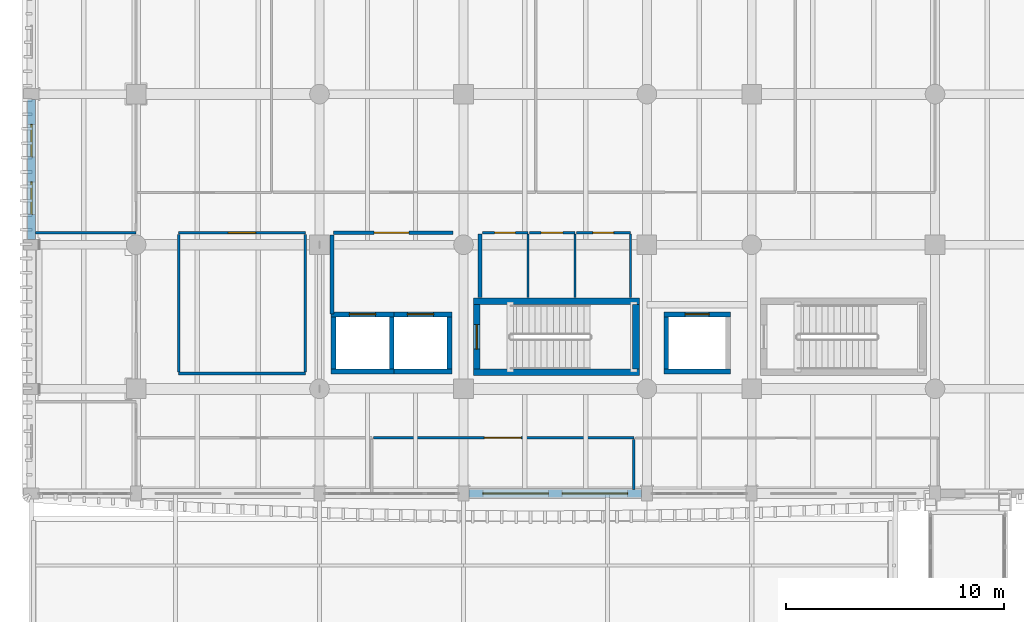
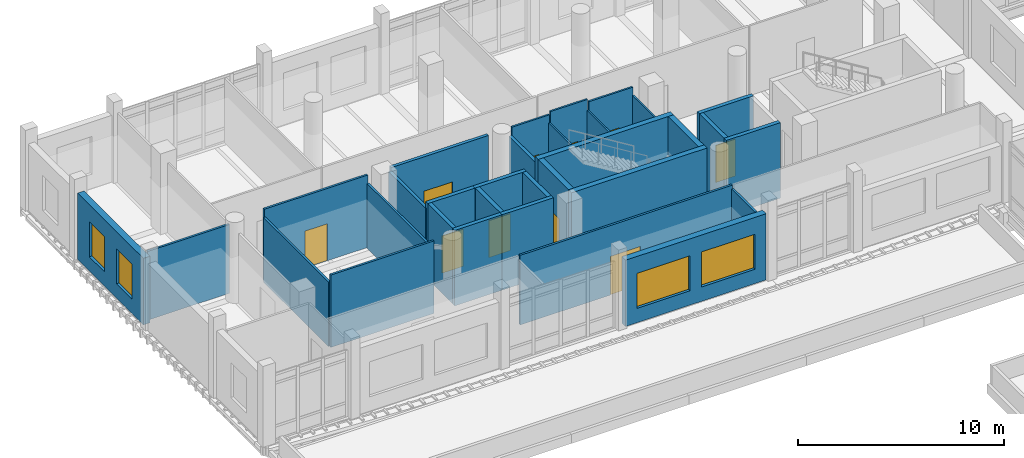
# One storey, part 91 of 125: 32 walls, 10 doors, 4 windows, 14 openings.
"""IFC4 building model written with IfcOpenShell, lengths in metres."""

from ifc_helpers import new_model, si_unit, direction, frame, frame_2d, origin, place, context, subcontext, project, spatial, rectangle, extrude, material, layer, layer_set, type_object, element, fill, save


model = new_model("IFC4")

# Units and contexts
model_context = context("Model", 3, precision=1e-05, world=origin(), true_north=direction((0.0, 1.0)))
body_context = subcontext(model_context, "Body", "Model", "MODEL_VIEW")
ifc_project = project(units=[si_unit("LENGTHUNIT", "METRE"), si_unit("AREAUNIT", "SQUARE_METRE"), si_unit("VOLUMEUNIT", "CUBIC_METRE"), si_unit("PLANEANGLEUNIT", "RADIAN"), si_unit("MASSUNIT", "GRAM", prefix="KILO")], contexts=[model_context])

# Site, building, storey
site_placement = place(None, origin())
site = spatial("IfcSite", under=ifc_project, at=site_placement, CompositionType="ELEMENT")
building_placement = place(site_placement, origin())
building = spatial("IfcBuilding", under=site, at=building_placement, Name="Dornvale Research Institute", CompositionType="ELEMENT")
storey_placement = place(building_placement, frame((0.0, 0.0, 5.39990234375)))
storey = spatial("IfcBuildingStorey", under=building, at=storey_placement, Name="L01", CompositionType="ELEMENT", Elevation=5.39990234375)

# Wall
ifc_material_1 = material(Name="Acoustic Insulated Double-Stud Laboratory Partition")
ifc_layer_1 = layer(ifc_material_1, 0.1201171875)
ifc_layer_set_1 = layer_set([ifc_layer_1], Name="Acoustic Insulated Double-Stud Laboratory Partition")
wall_type_1 = type_object("IfcWallType", Name="Partition_Dry_120", PredefinedType="PARTITIONING", material=ifc_layer_set_1)
wall_1_placement = place(storey_placement, frame((6.75, 104.5, 0.0), z_axis=(0.0, 0.0, 1.0), x_axis=(1.0, 0.0, 0.0)))
element("IfcWall", 1, at=wall_1_placement, inside=storey, type_object=wall_type_1, Name="L01 V5 interior partition #155", PredefinedType="PARTITIONING", context=body_context, shape_type="SweptSolid", body=[
    extrude(rectangle(XDim=5.800048828125, YDim=0.1201171875, at=frame_2d((2.89990234375, 0.0))), origin(), (0.0, 0.0, 1.0), 4.295166015625),
])

# Wall, opening, door
wall_2_placement = place(storey_placement, frame((6.75, 110.949951171875, 0.0), z_axis=(0.0, 0.0, 1.0), x_axis=(1.0, 0.0, 0.0)))
wall_2 = element("IfcWall", 2, at=wall_2_placement, inside=storey, type_object=wall_type_1, Name="L01 V5 interior partition #156", PredefinedType="PARTITIONING", context=body_context, shape_type="SweptSolid", body=[
    extrude(rectangle(XDim=5.800048828125, YDim=0.1201171875, at=frame_2d((2.89990234375, 0.0))), origin(), (0.0, 0.0, 1.0), 4.295166015625),
])
opening_1_placement = place(wall_2_placement, frame((2.27001953125, 0.0, 0.0)))
opening_1 = element("IfcOpeningElement", 3, at=opening_1_placement, cuts=wall_2, Name="Opening ID-10", PredefinedType="OPENING", context=body_context, shape_type="SweptSolid", body=[
    extrude(rectangle(XDim=1.260009765625, YDim=2.199951171875, at=frame_2d((0.6298828125, 1.10009765625))), frame((0.0, 0.074951171875, 0.0), z_axis=(0.0, -1.0, 0.0), x_axis=(1.0, 0.0, 0.0)), (0.0, 0.0, 1.0), 0.150146484375),
])
ifc_material_2 = material(Name="Phenolic-Faced Solid-Core Laboratory Door Assembly")
door_type_1 = type_object("IfcDoorType", Name="Door_DryLab_1260x2200", OperationType="SINGLE_SWING_LEFT", PredefinedType="DOOR", material=ifc_material_2)
door_1_placement = place(opening_1_placement, origin())
door_1 = element("IfcDoor", 4, at=door_1_placement, inside=storey, type_object=door_type_1, Name="L01 High-Speed Cluster Server Room L01 door #64", OperationType="SINGLE_SWING_LEFT", OverallHeight=2.199951171875, OverallWidth=1.260009765625, PredefinedType="DOOR", context=body_context, shape_type="SweptSolid", body=[
    extrude(rectangle(XDim=1.260009765625, YDim=2.199951171875, at=frame_2d((0.6298828125, 1.10009765625))), frame((0.0, 0.02490234375, 0.0), z_axis=(0.0, -1.0, 0.0), x_axis=(1.0, 0.0, 0.0)), (0.0, 0.0, 1.0), 0.050048828125),
])
fill(opening_1, door_1)

# Walls
for number, where, z_axis, x_axis, name in (
    (5, (6.75, 104.574951171875, 0.0), (0.0, 0.0, 1.0), (0.0, 1.0, 0.0), "L01 V5 interior partition #157"),
    (6, (12.550048828125, 104.574951171875, 0.0), (0.0, 0.0, 1.0), (0.0, 1.0, 0.0), "L01 V5 interior partition #158"),
):
    element("IfcWall", number, at=place(storey_placement, frame(where, z_axis=z_axis, x_axis=x_axis)), inside=storey, type_object=wall_type_1, Name=name, PredefinedType="PARTITIONING", context=body_context, shape_type="SweptSolid", body=[
        extrude(rectangle(XDim=6.300048828125, YDim=0.1201171875, at=frame_2d((3.14990234375, 0.0))), origin(), (0.0, 0.0, 1.0), 3.830078125),
    ])
wall_3_placement = place(storey_placement, frame((0.195068359375, 110.949951171875, 0.0), z_axis=(0.0, 0.0, 1.0), x_axis=(1.0, 0.0, 0.0)))
element("IfcWall", 7, at=wall_3_placement, inside=storey, type_object=wall_type_1, Name="L01 V5 interior partition #160", PredefinedType="PARTITIONING", context=body_context, shape_type="SweptSolid", body=[
    extrude(rectangle(XDim=4.60498046875, YDim=0.1201171875, at=frame_2d((2.302490234375, 0.0))), origin(), (0.0, 0.0, 1.0), 4.080078125),
])

# Wall, opening, door
wall_4_placement = place(storey_placement, frame((15.675048828125, 101.550048828125, 0.0), z_axis=(0.0, 0.0, 1.0), x_axis=(1.0, 0.0, 0.0)))
wall_4 = element("IfcWall", 8, at=wall_4_placement, inside=storey, type_object=wall_type_1, Name="L01 V5 interior partition #176", PredefinedType="PARTITIONING", context=body_context, shape_type="SweptSolid", body=[
    extrude(rectangle(XDim=11.925048828125, YDim=0.1201171875, at=frame_2d((5.96240234375, 0.0))), origin(), (0.0, 0.0, 1.0), 4.130126953125),
])
opening_2_placement = place(wall_4_placement, frame((5.0849609375, 0.0, 0.0)))
opening_2 = element("IfcOpeningElement", 9, at=opening_2_placement, cuts=wall_4, Name="Opening ID-11", PredefinedType="OPENING", context=body_context, shape_type="SweptSolid", body=[
    extrude(rectangle(XDim=1.679931640625, YDim=2.300048828125, at=frame_2d((0.83984375, 1.14990234375))), frame((0.0, 0.074951171875, 0.0), z_axis=(0.0, -1.0, 0.0), x_axis=(1.0, 0.0, 0.0)), (0.0, 0.0, 1.0), 0.150146484375),
])
ifc_material_3 = material(Name="Phenolic-Faced Solid-Core Laboratory Door Assembly")
door_type_2 = type_object("IfcDoorType", Name="Door_Seminar_1680x2300", OperationType="SINGLE_SWING_LEFT", PredefinedType="DOOR", material=ifc_material_3)
door_2_placement = place(opening_2_placement, origin())
door_2 = element("IfcDoor", 10, at=door_2_placement, inside=storey, type_object=door_type_2, Name="L01 Seminar Room L01-S door #73", OperationType="DOUBLE_DOOR_SINGLE_SWING", OverallHeight=2.300048828125, OverallWidth=1.679931640625, PredefinedType="DOOR", context=body_context, shape_type="SweptSolid", body=[
    extrude(rectangle(XDim=1.679931640625, YDim=2.300048828125, at=frame_2d((0.83984375, 1.14990234375))), frame((0.0, 0.02490234375, 0.0), z_axis=(0.0, -1.0, 0.0), x_axis=(1.0, 0.0, 0.0)), (0.0, 0.0, 1.0), 0.050048828125),
])
fill(opening_2, door_2)

# Wall
wall_5_placement = place(storey_placement, frame((27.60009765625, 99.195068359375, 0.0), z_axis=(0.0, 0.0, 1.0), x_axis=(0.0, 1.0, 0.0)))
element("IfcWall", 11, at=wall_5_placement, inside=storey, type_object=wall_type_1, Name="L01 V5 interior partition #177", PredefinedType="PARTITIONING", context=body_context, shape_type="SweptSolid", body=[
    extrude(rectangle(XDim=2.280029296875, YDim=0.1201171875, at=frame_2d((1.14013671875, 0.0))), origin(), (0.0, 0.0, 1.0), 3.93017578125),
])

# Wall, opening, door
ifc_material_4 = material(Name="Fire-Rated Gypsum Board on Cold-Formed Steel Studs", Category="steel")
ifc_layer_2 = layer(ifc_material_4, 0.179931640625)
ifc_layer_set_2 = layer_set([ifc_layer_2], Name="Fire-Rated Gypsum Board on Cold-Formed Steel Studs")
wall_type_2 = type_object("IfcWallType", Name="Partition_FireLobby_180", PredefinedType="PARTITIONING", material=ifc_layer_set_2)
wall_6_placement = place(storey_placement, frame((13.85009765625, 110.949951171875, 0.0), z_axis=(0.0, 0.0, 1.0), x_axis=(1.0, 0.0, 0.0)))
wall_6 = element("IfcWall", 12, at=wall_6_placement, inside=storey, type_object=wall_type_2, Name="L01 Fire Service Access Elevator Lobby north rated partition", PredefinedType="PARTITIONING", context=body_context, shape_type="SweptSolid", body=[
    extrude(rectangle(XDim=5.469970703125, YDim=0.179931640625, at=frame_2d((2.73486328125, 0.0))), origin(), (0.0, 0.0, 1.0), 4.295166015625),
])
opening_3_placement = place(wall_6_placement, frame((1.85009765625, 0.0, 0.0)))
opening_3 = element("IfcOpeningElement", 13, at=opening_3_placement, cuts=wall_6, Name="Opening FD-01", PredefinedType="OPENING", context=body_context, shape_type="SweptSolid", body=[
    extrude(rectangle(XDim=1.60009765625, YDim=2.25, at=frame_2d((0.800048828125, 1.125))), frame((0.0, 0.10498046875, 0.0), z_axis=(0.0, -1.0, 0.0), x_axis=(1.0, 0.0, 0.0)), (0.0, 0.0, 1.0), 0.2099609375),
])
ifc_material_5 = material(Name="Insulated Fire-Rated Hollow Metal Door Assembly")
door_type_3 = type_object("IfcDoorType", Name="Door_FireLobby_1600x2250", OperationType="SINGLE_SWING_LEFT", PredefinedType="DOOR", material=ifc_material_5)
door_3_placement = place(opening_3_placement, origin())
door_3 = element("IfcDoor", 14, at=door_3_placement, inside=storey, type_object=door_type_3, Name="L01 Fire Service Access Elevator Lobby door", OperationType="DOUBLE_DOOR_SINGLE_SWING", OverallHeight=2.25, OverallWidth=1.60009765625, PredefinedType="DOOR", context=body_context, shape_type="SweptSolid", body=[
    extrude(rectangle(XDim=1.60009765625, YDim=2.25, at=frame_2d((0.800048828125, 1.125))), frame((0.0, 0.02490234375, 0.0), z_axis=(0.0, -1.0, 0.0), x_axis=(1.0, 0.0, 0.0)), (0.0, 0.0, 1.0), 0.050048828125),
])
fill(opening_3, door_3)

# Walls
wall_7_placement = place(storey_placement, frame((13.780029296875, 107.22998046875, 0.0), z_axis=(0.0, 0.0, 1.0), x_axis=(0.0, 1.0, 0.0)))
element("IfcWall", 15, at=wall_7_placement, inside=storey, type_object=wall_type_2, Name="L01 Fire Service Access Elevator Lobby west rated partition", PredefinedType="PARTITIONING", context=body_context, shape_type="SweptSolid", body=[
    extrude(rectangle(XDim=3.610107421875, YDim=0.179931640625, at=frame_2d((1.80517578125, 0.0))), origin(), (0.0, 0.0, 1.0), 4.130126953125),
])
wall_8_placement = place(storey_placement, frame((20.56005859375, 107.97998046875, 0.0), z_axis=(0.0, 0.0, 1.0), x_axis=(0.0, 1.0, 0.0)))
element("IfcWall", 16, at=wall_8_placement, inside=storey, type_object=wall_type_2, Name="L01 Fire Service Access Elevator Lobby east rated partition", PredefinedType="PARTITIONING", context=body_context, shape_type="SweptSolid", body=[
    extrude(rectangle(XDim=2.909912109375, YDim=0.179931640625, at=frame_2d((1.455078125, 0.0))), origin(), (0.0, 0.0, 1.0), 3.830078125),
])

# Wall, opening, door
ifc_material_6 = material(Name="Acoustic Insulated Double-Stud Laboratory Partition")
ifc_layer_3 = layer(ifc_material_6, 0.10009765625)
ifc_layer_set_3 = layer_set([ifc_layer_3], Name="Acoustic Insulated Double-Stud Laboratory Partition")
wall_type_3 = type_object("IfcWallType", Name="Partition_Office_100", PredefinedType="PARTITIONING", material=ifc_layer_set_3)
wall_9_placement = place(storey_placement, frame((20.6650390625, 110.949951171875, 0.0), z_axis=(0.0, 0.0, 1.0), x_axis=(1.0, 0.0, 0.0)))
wall_9 = element("IfcWall", 17, at=wall_9_placement, inside=storey, type_object=wall_type_3, Name="L01 V5 interior partition #149", PredefinedType="PARTITIONING", context=body_context, shape_type="SweptSolid", body=[
    extrude(rectangle(XDim=2.0849609375, YDim=0.10009765625, at=frame_2d((1.04248046875, 0.0))), origin(), (0.0, 0.0, 1.0), 4.295166015625),
])
opening_4_placement = place(wall_9_placement, frame((0.56005859375, 0.0, 0.0)))
opening_4 = element("IfcOpeningElement", 18, at=opening_4_placement, cuts=wall_9, Name="Opening ID-23", PredefinedType="OPENING", context=body_context, shape_type="SweptSolid", body=[
    extrude(rectangle(XDim=0.949951171875, YDim=2.14990234375, at=frame_2d((0.47509765625, 1.074951171875))), frame((0.0, 0.06494140625, 0.0), z_axis=(0.0, -1.0, 0.0), x_axis=(1.0, 0.0, 0.0)), (0.0, 0.0, 1.0), 0.130126953125),
])
ifc_material_7 = material(Name="Phenolic-Faced Solid-Core Laboratory Door Assembly")
door_type_4 = type_object("IfcDoorType", Name="Door_WC_950x2150", OperationType="SINGLE_SWING_LEFT", PredefinedType="DOOR", material=ifc_material_7)
door_4_placement = place(opening_4_placement, origin())
door_4 = element("IfcDoor", 19, at=door_4_placement, inside=storey, type_object=door_type_4, Name="L01 Male Restroom L01 door #61", OperationType="SINGLE_SWING_RIGHT", OverallHeight=2.14990234375, OverallWidth=0.949951171875, PredefinedType="DOOR", context=body_context, shape_type="SweptSolid", body=[
    extrude(rectangle(XDim=0.949951171875, YDim=2.14990234375, at=frame_2d((0.47509765625, 1.074951171875))), frame((0.0, 0.02490234375, 0.0), z_axis=(0.0, -1.0, 0.0), x_axis=(1.0, 0.0, 0.0)), (0.0, 0.0, 1.0), 0.050048828125),
])
fill(opening_4, door_4)

# Wall
wall_10_placement = place(storey_placement, frame((22.75, 107.97998046875, 0.0), z_axis=(0.0, 0.0, 1.0), x_axis=(0.0, 1.0, 0.0)))
element("IfcWall", 20, at=wall_10_placement, inside=storey, type_object=wall_type_3, Name="L01 V5 interior partition #150", PredefinedType="PARTITIONING", context=body_context, shape_type="SweptSolid", body=[
    extrude(rectangle(XDim=2.905029296875, YDim=0.10009765625, at=frame_2d((1.45263671875, 0.0))), origin(), (0.0, 0.0, 1.0), 3.830078125),
])

# Wall, opening, door
wall_11_placement = place(storey_placement, frame((22.81494140625, 110.949951171875, 0.0), z_axis=(0.0, 0.0, 1.0), x_axis=(1.0, 0.0, 0.0)))
wall_11 = element("IfcWall", 21, at=wall_11_placement, inside=storey, type_object=wall_type_3, Name="L01 V5 interior partition #151", PredefinedType="PARTITIONING", context=body_context, shape_type="SweptSolid", body=[
    extrude(rectangle(XDim=2.0849609375, YDim=0.10009765625, at=frame_2d((1.04248046875, 0.0))), origin(), (0.0, 0.0, 1.0), 4.460205078125),
])
opening_5_placement = place(wall_11_placement, frame((0.534912109375, 0.0, 0.0)))
opening_5 = element("IfcOpeningElement", 22, at=opening_5_placement, cuts=wall_11, Name="Opening ID-24", PredefinedType="OPENING", context=body_context, shape_type="SweptSolid", body=[
    extrude(rectangle(XDim=1.0, YDim=2.14990234375, at=frame_2d((0.5, 1.074951171875))), frame((0.0, 0.06494140625, 0.0), z_axis=(0.0, -1.0, 0.0), x_axis=(1.0, 0.0, 0.0)), (0.0, 0.0, 1.0), 0.130126953125),
])
ifc_material_8 = material(Name="Phenolic-Faced Solid-Core Laboratory Door Assembly")
door_type_5 = type_object("IfcDoorType", Name="Door_AccWC_1000x2150", OperationType="SINGLE_SWING_LEFT", PredefinedType="DOOR", material=ifc_material_8)
door_5_placement = place(opening_5_placement, origin())
door_5 = element("IfcDoor", 23, at=door_5_placement, inside=storey, type_object=door_type_5, Name="L01 Female Restroom L01 door #62", OperationType="SINGLE_SWING_LEFT", OverallHeight=2.14990234375, OverallWidth=1.0, PredefinedType="DOOR", context=body_context, shape_type="SweptSolid", body=[
    extrude(rectangle(XDim=1.0, YDim=2.14990234375, at=frame_2d((0.5, 1.074951171875))), frame((0.0, 0.02490234375, 0.0), z_axis=(0.0, -1.0, 0.0), x_axis=(1.0, 0.0, 0.0)), (0.0, 0.0, 1.0), 0.050048828125),
])
fill(opening_5, door_5)

# Wall
wall_12_placement = place(storey_placement, frame((24.89990234375, 107.97998046875, 0.0), z_axis=(0.0, 0.0, 1.0), x_axis=(0.0, 1.0, 0.0)))
element("IfcWall", 24, at=wall_12_placement, inside=storey, type_object=wall_type_3, Name="L01 V5 interior partition #152", PredefinedType="PARTITIONING", context=body_context, shape_type="SweptSolid", body=[
    extrude(rectangle(XDim=2.905029296875, YDim=0.10009765625, at=frame_2d((1.45263671875, 0.0))), origin(), (0.0, 0.0, 1.0), 3.830078125),
])

# Wall, opening, door
wall_13_placement = place(storey_placement, frame((24.965087890625, 110.949951171875, 0.0), z_axis=(0.0, 0.0, 1.0), x_axis=(1.0, 0.0, 0.0)))
wall_13 = element("IfcWall", 25, at=wall_13_placement, inside=storey, type_object=wall_type_3, Name="L01 V5 interior partition #153", PredefinedType="PARTITIONING", context=body_context, shape_type="SweptSolid", body=[
    extrude(rectangle(XDim=2.48486328125, YDim=0.10009765625, at=frame_2d((1.242431640625, 0.0))), origin(), (0.0, 0.0, 1.0), 4.295166015625),
])
opening_6_placement = place(wall_13_placement, frame((0.760009765625, 0.0, 0.0)))
opening_6 = element("IfcOpeningElement", 26, at=opening_6_placement, cuts=wall_13, Name="Opening ID-23", PredefinedType="OPENING", context=body_context, shape_type="SweptSolid", body=[
    extrude(rectangle(XDim=0.949951171875, YDim=2.14990234375, at=frame_2d((0.47509765625, 1.074951171875))), frame((0.0, 0.06494140625, 0.0), z_axis=(0.0, -1.0, 0.0), x_axis=(1.0, 0.0, 0.0)), (0.0, 0.0, 1.0), 0.130126953125),
])
door_6_placement = place(opening_6_placement, origin())
door_6 = element("IfcDoor", 27, at=door_6_placement, inside=storey, type_object=door_type_4, Name="L01 Accessible Restroom L01 door #63", OperationType="SINGLE_SWING_RIGHT", OverallHeight=2.14990234375, OverallWidth=0.949951171875, PredefinedType="DOOR", context=body_context, shape_type="SweptSolid", body=[
    extrude(rectangle(XDim=0.949951171875, YDim=2.14990234375, at=frame_2d((0.47509765625, 1.074951171875))), frame((0.0, 0.02490234375, 0.0), z_axis=(0.0, -1.0, 0.0), x_axis=(1.0, 0.0, 0.0)), (0.0, 0.0, 1.0), 0.050048828125),
])
fill(opening_6, door_6)

# Walls
wall_14_placement = place(storey_placement, frame((27.449951171875, 107.97998046875, 0.0), z_axis=(0.0, 0.0, 1.0), x_axis=(0.0, 1.0, 0.0)))
element("IfcWall", 28, at=wall_14_placement, inside=storey, type_object=wall_type_3, Name="L01 V5 interior partition #154", PredefinedType="PARTITIONING", context=body_context, shape_type="SweptSolid", body=[
    extrude(rectangle(XDim=2.905029296875, YDim=0.10009765625, at=frame_2d((1.45263671875, 0.0))), origin(), (0.0, 0.0, 1.0), 3.830078125),
])
ifc_material_9 = material(Name="Concrete f'c 50 MPa (C40/50)", Category="concrete")
ifc_layer_4 = layer(ifc_material_9, 0.300048828125)
ifc_layer_set_4 = layer_set([ifc_layer_4], Name="Concrete f'c 50 MPa (C40/50)")
wall_type_4 = type_object("IfcWallType", Name="ShearWall_Core_300", PredefinedType="SHEAR", material=ifc_layer_set_4)
for number, where, z_axis, x_axis, name in (
    (29, (20.25, 104.550048828125, 0.0), (0.0, 0.0, 1.0), (1.0, 0.0, 0.0), "L01 ST-1 shaft shear wall south"),
    (30, (20.25, 107.81005859375, 0.0), (0.0, 0.0, 1.0), (1.0, 0.0, 0.0), "L01 ST-1 shaft shear wall north"),
):
    element("IfcWall", number, at=place(storey_placement, frame(where, z_axis=z_axis, x_axis=x_axis)), inside=storey, type_object=wall_type_4, Name=name, PredefinedType="SHEAR", context=body_context, shape_type="SweptSolid", body=[
        extrude(rectangle(XDim=7.60009765625, YDim=0.300048828125, at=frame_2d((3.800048828125, 0.0))), origin(), (0.0, 0.0, 1.0), 4.47998046875),
    ])

# Wall, opening, door
wall_15_placement = place(storey_placement, frame((20.39990234375, 104.699951171875, 0.0), z_axis=(0.0, 0.0, 1.0), x_axis=(0.0, 1.0, 0.0)))
wall_15 = element("IfcWall", 31, at=wall_15_placement, inside=storey, type_object=wall_type_4, Name="L01 ST-1 shaft shear wall west", PredefinedType="SHEAR", context=body_context, shape_type="SweptSolid", body=[
    extrude(rectangle(XDim=2.9599609375, YDim=0.300048828125, at=frame_2d((1.47998046875, 0.0))), origin(), (0.0, 0.0, 1.0), 4.47998046875),
])
opening_7_placement = place(wall_15_placement, frame((0.919921875, 0.0, 0.0)))
opening_7 = element("IfcOpeningElement", 32, at=opening_7_placement, cuts=wall_15, Name="Opening SD-01", PredefinedType="OPENING", context=body_context, shape_type="SweptSolid", body=[
    extrude(rectangle(XDim=1.1201171875, YDim=2.199951171875, at=frame_2d((0.56005859375, 1.10009765625))), frame((0.0, 0.1650390625, 0.0), z_axis=(0.0, -1.0, 0.0), x_axis=(1.0, 0.0, 0.0)), (0.0, 0.0, 1.0), 0.330078125),
])
ifc_material_10 = material(Name="Insulated Fire-Rated Hollow Metal Door Assembly")
door_type_6 = type_object("IfcDoorType", Name="Door_Stair_1120x2200", OperationType="SINGLE_SWING_LEFT", PredefinedType="DOOR", material=ifc_material_10)
door_7_placement = place(opening_7_placement, origin())
door_7 = element("IfcDoor", 33, at=door_7_placement, inside=storey, type_object=door_type_6, Name="L01 ST-1 exit stair door #3", OperationType="SINGLE_SWING_LEFT", OverallHeight=2.199951171875, OverallWidth=1.1201171875, PredefinedType="DOOR", context=body_context, shape_type="SweptSolid", body=[
    extrude(rectangle(XDim=1.1201171875, YDim=2.199951171875, at=frame_2d((0.56005859375, 1.10009765625))), frame((0.0, 0.02490234375, 0.0), z_axis=(0.0, -1.0, 0.0), x_axis=(1.0, 0.0, 0.0)), (0.0, 0.0, 1.0), 0.050048828125),
])
fill(opening_7, door_7)

# Walls
wall_16_placement = place(storey_placement, frame((27.699951171875, 104.699951171875, 0.0), z_axis=(0.0, 0.0, 1.0), x_axis=(0.0, 1.0, 0.0)))
element("IfcWall", 34, at=wall_16_placement, inside=storey, type_object=wall_type_4, Name="L01 ST-1 shaft shear wall east", PredefinedType="SHEAR", context=body_context, shape_type="SweptSolid", body=[
    extrude(rectangle(XDim=2.9599609375, YDim=0.300048828125, at=frame_2d((1.47998046875, 0.0))), origin(), (0.0, 0.0, 1.0), 4.47998046875),
])
ifc_material_11 = material(Name="Concrete f'c 45 MPa (C35/45)", Category="concrete")
ifc_layer_5 = layer(ifc_material_11, 0.219970703125)
ifc_layer_set_5 = layer_set([ifc_layer_5], Name="Concrete f'c 45 MPa (C35/45)")
wall_type_5 = type_object("IfcWallType", Name="ShearWall_Shaft_220", PredefinedType="SHEAR", material=ifc_layer_set_5)
wall_17_placement = place(storey_placement, frame((13.72998046875, 104.590087890625, 0.0), z_axis=(0.0, 0.0, 1.0), x_axis=(1.0, 0.0, 0.0)))
element("IfcWall", 35, at=wall_17_placement, inside=storey, type_object=wall_type_5, Name="L01 FS1 elevator shaft wall south", PredefinedType="SHEAR", context=body_context, shape_type="SweptSolid", body=[
    extrude(rectangle(XDim=2.89013671875, YDim=0.219970703125, at=frame_2d((1.445068359375, 0.0))), origin(), (0.0, 0.0, 1.0), 4.47998046875),
])

# Wall, opening, door
wall_18_placement = place(storey_placement, frame((13.72998046875, 107.2099609375, 0.0), z_axis=(0.0, 0.0, 1.0), x_axis=(1.0, 0.0, 0.0)))
wall_18 = element("IfcWall", 36, at=wall_18_placement, inside=storey, type_object=wall_type_5, Name="L01 FS1 elevator shaft wall north", PredefinedType="SHEAR", context=body_context, shape_type="SweptSolid", body=[
    extrude(rectangle(XDim=2.89013671875, YDim=0.219970703125, at=frame_2d((1.445068359375, 0.0))), origin(), (0.0, 0.0, 1.0), 4.47998046875),
])
opening_8_placement = place(wall_18_placement, frame((0.844970703125, 0.0, 0.0)))
opening_8 = element("IfcOpeningElement", 37, at=opening_8_placement, cuts=wall_18, Name="Opening LD-01", PredefinedType="OPENING", context=body_context, shape_type="SweptSolid", body=[
    extrude(rectangle(XDim=1.199951171875, YDim=2.199951171875, at=frame_2d((0.60009765625, 1.10009765625))), frame((0.0, 0.125, 0.0), z_axis=(0.0, -1.0, 0.0), x_axis=(1.0, 0.0, 0.0)), (0.0, 0.0, 1.0), 0.25),
])
ifc_material_12 = material(Name="Brushed Stainless Steel Sliding Elevator Landing Door", Category="steel")
door_type_7 = type_object("IfcDoorType", Name="Door_LiftLanding_FSAE_1200x2200", OperationType="SINGLE_SWING_LEFT", PredefinedType="DOOR", material=ifc_material_12)
door_8_placement = place(opening_8_placement, origin())
door_8 = element("IfcDoor", 38, at=door_8_placement, inside=storey, type_object=door_type_7, Name="L01 FS1 sliding elevator landing door #3", OperationType="DOUBLE_DOOR_SLIDING", OverallHeight=2.199951171875, OverallWidth=1.199951171875, PredefinedType="DOOR", context=body_context, shape_type="SweptSolid", body=[
    extrude(rectangle(XDim=1.199951171875, YDim=2.199951171875, at=frame_2d((0.60009765625, 1.10009765625))), frame((0.0, 0.02490234375, 0.0), z_axis=(0.0, -1.0, 0.0), x_axis=(1.0, 0.0, 0.0)), (0.0, 0.0, 1.0), 0.050048828125),
])
fill(opening_8, door_8)

# Walls
for number, where, z_axis, x_axis, name in (
    (39, (13.840087890625, 104.699951171875, 0.0), (0.0, 0.0, 1.0), (0.0, 1.0, 0.0), "L01 FS1 elevator shaft wall west"),
    (40, (16.510009765625, 104.699951171875, 0.0), (0.0, 0.0, 1.0), (0.0, 1.0, 0.0), "L01 FS1 elevator shaft wall east"),
):
    element("IfcWall", number, at=place(storey_placement, frame(where, z_axis=z_axis, x_axis=x_axis)), inside=storey, type_object=wall_type_5, Name=name, PredefinedType="SHEAR", context=body_context, shape_type="SweptSolid", body=[
        extrude(rectangle(XDim=2.400146484375, YDim=0.219970703125, at=frame_2d((1.2001953125, 0.0))), origin(), (0.0, 0.0, 1.0), 4.47998046875),
    ])
wall_19_placement = place(storey_placement, frame((16.3798828125, 104.590087890625, 0.0), z_axis=(0.0, 0.0, 1.0), x_axis=(1.0, 0.0, 0.0)))
element("IfcWall", 41, at=wall_19_placement, inside=storey, type_object=wall_type_5, Name="L01 FS2 elevator shaft wall south", PredefinedType="SHEAR", context=body_context, shape_type="SweptSolid", body=[
    extrude(rectangle(XDim=2.89013671875, YDim=0.219970703125, at=frame_2d((1.445068359375, 0.0))), origin(), (0.0, 0.0, 1.0), 4.47998046875),
])

# Wall, opening, door
wall_20_placement = place(storey_placement, frame((16.3798828125, 107.2099609375, 0.0), z_axis=(0.0, 0.0, 1.0), x_axis=(1.0, 0.0, 0.0)))
wall_20 = element("IfcWall", 42, at=wall_20_placement, inside=storey, type_object=wall_type_5, Name="L01 FS2 elevator shaft wall north", PredefinedType="SHEAR", context=body_context, shape_type="SweptSolid", body=[
    extrude(rectangle(XDim=2.89013671875, YDim=0.219970703125, at=frame_2d((1.445068359375, 0.0))), origin(), (0.0, 0.0, 1.0), 4.47998046875),
])
opening_9_placement = place(wall_20_placement, frame((0.844970703125, 0.0, 0.0)))
opening_9 = element("IfcOpeningElement", 43, at=opening_9_placement, cuts=wall_20, Name="Opening LD-01", PredefinedType="OPENING", context=body_context, shape_type="SweptSolid", body=[
    extrude(rectangle(XDim=1.199951171875, YDim=2.199951171875, at=frame_2d((0.60009765625, 1.10009765625))), frame((0.0, 0.125, 0.0), z_axis=(0.0, -1.0, 0.0), x_axis=(1.0, 0.0, 0.0)), (0.0, 0.0, 1.0), 0.25),
])
door_9_placement = place(opening_9_placement, origin())
door_9 = element("IfcDoor", 44, at=door_9_placement, inside=storey, type_object=door_type_7, Name="L01 FS2 sliding elevator landing door #15", OperationType="DOUBLE_DOOR_SLIDING", OverallHeight=2.199951171875, OverallWidth=1.199951171875, PredefinedType="DOOR", context=body_context, shape_type="SweptSolid", body=[
    extrude(rectangle(XDim=1.199951171875, YDim=2.199951171875, at=frame_2d((0.60009765625, 1.10009765625))), frame((0.0, 0.02490234375, 0.0), z_axis=(0.0, -1.0, 0.0), x_axis=(1.0, 0.0, 0.0)), (0.0, 0.0, 1.0), 0.050048828125),
])
fill(opening_9, door_9)

# Walls
wall_21_placement = place(storey_placement, frame((19.159912109375, 104.699951171875, 0.0), z_axis=(0.0, 0.0, 1.0), x_axis=(0.0, 1.0, 0.0)))
element("IfcWall", 45, at=wall_21_placement, inside=storey, type_object=wall_type_5, Name="L01 FS2 elevator shaft wall east", PredefinedType="SHEAR", context=body_context, shape_type="SweptSolid", body=[
    extrude(rectangle(XDim=2.400146484375, YDim=0.219970703125, at=frame_2d((1.2001953125, 0.0))), origin(), (0.0, 0.0, 1.0), 4.47998046875),
])
wall_22_placement = place(storey_placement, frame((28.97998046875, 104.590087890625, 0.0), z_axis=(0.0, 0.0, 1.0), x_axis=(1.0, 0.0, 0.0)))
element("IfcWall", 46, at=wall_22_placement, inside=storey, type_object=wall_type_5, Name="L01 LP1 elevator shaft wall south", PredefinedType="SHEAR", context=body_context, shape_type="SweptSolid", body=[
    extrude(rectangle(XDim=3.0400390625, YDim=0.219970703125, at=frame_2d((1.52001953125, 0.0))), origin(), (0.0, 0.0, 1.0), 4.47998046875),
])

# Wall, opening, door
wall_23_placement = place(storey_placement, frame((28.97998046875, 107.2099609375, 0.0), z_axis=(0.0, 0.0, 1.0), x_axis=(1.0, 0.0, 0.0)))
wall_23 = element("IfcWall", 47, at=wall_23_placement, inside=storey, type_object=wall_type_5, Name="L01 LP1 elevator shaft wall north", PredefinedType="SHEAR", context=body_context, shape_type="SweptSolid", body=[
    extrude(rectangle(XDim=3.0400390625, YDim=0.219970703125, at=frame_2d((1.52001953125, 0.0))), origin(), (0.0, 0.0, 1.0), 4.47998046875),
])
opening_10_placement = place(wall_23_placement, frame((0.969970703125, 0.0, 0.0)))
opening_10 = element("IfcOpeningElement", 48, at=opening_10_placement, cuts=wall_23, Name="Opening LD-02", PredefinedType="OPENING", context=body_context, shape_type="SweptSolid", body=[
    extrude(rectangle(XDim=1.10009765625, YDim=2.199951171875, at=frame_2d((0.550048828125, 1.10009765625))), frame((0.0, 0.125, 0.0), z_axis=(0.0, -1.0, 0.0), x_axis=(1.0, 0.0, 0.0)), (0.0, 0.0, 1.0), 0.25),
])
ifc_material_13 = material(Name="Brushed Stainless Steel Sliding Elevator Landing Door", Category="steel")
door_type_8 = type_object("IfcDoorType", Name="Door_LiftLanding_Pass_1100x2200", OperationType="SINGLE_SWING_LEFT", PredefinedType="DOOR", material=ifc_material_13)
door_10_placement = place(opening_10_placement, origin())
door_10 = element("IfcDoor", 49, at=door_10_placement, inside=storey, type_object=door_type_8, Name="L01 LP1 sliding elevator landing door #27", OperationType="SLIDING_TO_LEFT", OverallHeight=2.199951171875, OverallWidth=1.10009765625, PredefinedType="DOOR", context=body_context, shape_type="SweptSolid", body=[
    extrude(rectangle(XDim=1.10009765625, YDim=2.199951171875, at=frame_2d((0.550048828125, 1.10009765625))), frame((0.0, 0.02490234375, 0.0), z_axis=(0.0, -1.0, 0.0), x_axis=(1.0, 0.0, 0.0)), (0.0, 0.0, 1.0), 0.050048828125),
])
fill(opening_10, door_10)

# Wall
wall_24_placement = place(storey_placement, frame((29.090087890625, 104.699951171875, 0.0), z_axis=(0.0, 0.0, 1.0), x_axis=(0.0, 1.0, 0.0)))
element("IfcWall", 50, at=wall_24_placement, inside=storey, type_object=wall_type_5, Name="L01 LP1 elevator shaft wall west", PredefinedType="SHEAR", context=body_context, shape_type="SweptSolid", body=[
    extrude(rectangle(XDim=2.400146484375, YDim=0.219970703125, at=frame_2d((1.2001953125, 0.0))), origin(), (0.0, 0.0, 1.0), 4.47998046875),
])

# Wall, openings, windows
ifc_material_14 = material(Name="Catalan Pressed Brick and Insulated Cavity Assembly", Category="masonry")
ifc_layer_6 = layer(ifc_material_14, 0.360107421875)
ifc_layer_set_6 = layer_set([ifc_layer_6], Name="Catalan Pressed Brick and Insulated Cavity Assembly")
wall_type_6 = type_object("IfcWallType", Name="StandardWall_BrickCavity_360", PredefinedType="STANDARD", material=ifc_layer_set_6)
wall_25_placement = place(storey_placement, frame((0.0, 110.64990234375, 0.0), z_axis=(0.0, 0.0, 1.0), x_axis=(0.0, 1.0, 0.0)))
wall_25 = element("IfcWall", 51, at=wall_25_placement, inside=storey, type_object=wall_type_6, Name="L01 V5 west exterior wall #305", PredefinedType="STANDARD", context=body_context, shape_type="SweptSolid", body=[
    extrude(rectangle(XDim=6.400146484375, YDim=0.360107421875, at=frame_2d((3.2001953125, 0.0))), origin(), (0.0, 0.0, 1.0), 3.9501953125),
])
opening_11_placement = place(wall_25_placement, frame((1.13330078125, 0.0, 0.85009765625)))
opening_11 = element("IfcOpeningElement", 52, at=opening_11_placement, cuts=wall_25, Name="Opening W-39", PredefinedType="OPENING", context=body_context, shape_type="SweptSolid", body=[
    extrude(rectangle(XDim=1.5, YDim=2.080078125, at=frame_2d((0.75, 1.0400390625))), frame((0.0, 0.195068359375, 0.0), z_axis=(0.0, -1.0, 0.0), x_axis=(1.0, 0.0, 0.0)), (0.0, 0.0, 1.0), 0.39013671875),
])
opening_12_placement = place(wall_25_placement, frame((3.7666015625, 0.0, 0.85009765625)))
opening_12 = element("IfcOpeningElement", 53, at=opening_12_placement, cuts=wall_25, Name="Opening W-39", PredefinedType="OPENING", context=body_context, shape_type="SweptSolid", body=[
    extrude(rectangle(XDim=1.5, YDim=2.080078125, at=frame_2d((0.75, 1.0400390625))), frame((0.0, 0.195068359375, 0.0), z_axis=(0.0, -1.0, 0.0), x_axis=(1.0, 0.0, 0.0)), (0.0, 0.0, 1.0), 0.39013671875),
])
ifc_material_15 = material(Name="Low-E Argon Double Insulating Glazing Unit", Category="glass")
window_type_1 = type_object("IfcWindowType", Name="Window_Alu_1500x2080_39", PartitioningType="SINGLE_PANEL", PredefinedType="WINDOW", material=ifc_material_15)
window_1_placement = place(opening_11_placement, origin())
window_1 = element("IfcWindow", 54, at=window_1_placement, inside=storey, type_object=window_type_1, Name="L01 V5 facade window W-39 #417", OverallHeight=2.080078125, OverallWidth=1.5, PartitioningType="SINGLE_PANEL", PredefinedType="WINDOW", context=body_context, shape_type="SweptSolid", body=[
    extrude(rectangle(XDim=1.5, YDim=2.080078125, at=frame_2d((0.75, 1.0400390625))), frame((0.0, 0.030029296875, 0.0), z_axis=(0.0, -1.0, 0.0), x_axis=(1.0, 0.0, 0.0)), (0.0, 0.0, 1.0), 0.06005859375),
])
fill(opening_11, window_1)
window_2_placement = place(opening_12_placement, origin())
window_2 = element("IfcWindow", 55, at=window_2_placement, inside=storey, type_object=window_type_1, Name="L01 V5 facade window W-39 #418", OverallHeight=2.080078125, OverallWidth=1.5, PartitioningType="SINGLE_PANEL", PredefinedType="WINDOW", context=body_context, shape_type="SweptSolid", body=[
    extrude(rectangle(XDim=1.5, YDim=2.080078125, at=frame_2d((0.75, 1.0400390625))), frame((0.0, 0.030029296875, 0.0), z_axis=(0.0, -1.0, 0.0), x_axis=(1.0, 0.0, 0.0)), (0.0, 0.0, 1.0), 0.06005859375),
])
fill(opening_12, window_2)

wall_26_placement = place(storey_placement, frame((27.949951171875, 99.0, 0.0), z_axis=(0.0, 0.0, 1.0), x_axis=(-1.0, 0.0, 0.0)))
wall_26 = element("IfcWall", 56, at=wall_26_placement, inside=storey, type_object=wall_type_6, Name="L01 V5 south exterior wall #316", PredefinedType="STANDARD", context=body_context, shape_type="SweptSolid", body=[
    extrude(rectangle(XDim=7.89990234375, YDim=0.360107421875, at=frame_2d((3.949951171875, 0.0))), origin(), (0.0, 0.0, 1.0), 3.93017578125),
])
opening_13_placement = place(wall_26_placement, frame((0.63330078125, 0.0, 0.85009765625)))
opening_13 = element("IfcOpeningElement", 57, at=opening_13_placement, cuts=wall_26, Name="Opening W-48", PredefinedType="OPENING", context=body_context, shape_type="SweptSolid", body=[
    extrude(rectangle(XDim=3.0, YDim=2.080078125, at=frame_2d((1.5, 1.0400390625))), frame((0.0, 0.195068359375, 0.0), z_axis=(0.0, -1.0, 0.0), x_axis=(1.0, 0.0, 0.0)), (0.0, 0.0, 1.0), 0.39013671875),
])
opening_14_placement = place(wall_26_placement, frame((4.2666015625, 0.0, 0.85009765625)))
opening_14 = element("IfcOpeningElement", 58, at=opening_14_placement, cuts=wall_26, Name="Opening W-48", PredefinedType="OPENING", context=body_context, shape_type="SweptSolid", body=[
    extrude(rectangle(XDim=3.0, YDim=2.080078125, at=frame_2d((1.5, 1.0400390625))), frame((0.0, 0.195068359375, 0.0), z_axis=(0.0, -1.0, 0.0), x_axis=(1.0, 0.0, 0.0)), (0.0, 0.0, 1.0), 0.39013671875),
])
ifc_material_16 = material(Name="Low-E Argon Double Insulating Glazing Unit", Category="glass")
window_type_2 = type_object("IfcWindowType", Name="Window_Alu_3000x2080_48", PartitioningType="DOUBLE_PANEL_VERTICAL", PredefinedType="WINDOW", material=ifc_material_16)
window_3_placement = place(opening_13_placement, origin())
window_3 = element("IfcWindow", 59, at=window_3_placement, inside=storey, type_object=window_type_2, Name="L01 V5 facade window W-48 #429", OverallHeight=2.080078125, OverallWidth=3.0, PartitioningType="DOUBLE_PANEL_VERTICAL", PredefinedType="WINDOW", context=body_context, shape_type="SweptSolid", body=[
    extrude(rectangle(XDim=3.0, YDim=2.080078125, at=frame_2d((1.5, 1.0400390625))), frame((0.0, 0.030029296875, 0.0), z_axis=(0.0, -1.0, 0.0), x_axis=(1.0, 0.0, 0.0)), (0.0, 0.0, 1.0), 0.06005859375),
])
fill(opening_13, window_3)
window_4_placement = place(opening_14_placement, origin())
window_4 = element("IfcWindow", 60, at=window_4_placement, inside=storey, type_object=window_type_2, Name="L01 V5 facade window W-48 #430", OverallHeight=2.080078125, OverallWidth=3.0, PartitioningType="DOUBLE_PANEL_VERTICAL", PredefinedType="WINDOW", context=body_context, shape_type="SweptSolid", body=[
    extrude(rectangle(XDim=3.0, YDim=2.080078125, at=frame_2d((1.5, 1.0400390625))), frame((0.0, 0.030029296875, 0.0), z_axis=(0.0, -1.0, 0.0), x_axis=(1.0, 0.0, 0.0)), (0.0, 0.0, 1.0), 0.06005859375),
])
fill(opening_14, window_4)

save(model, "model.ifc")
